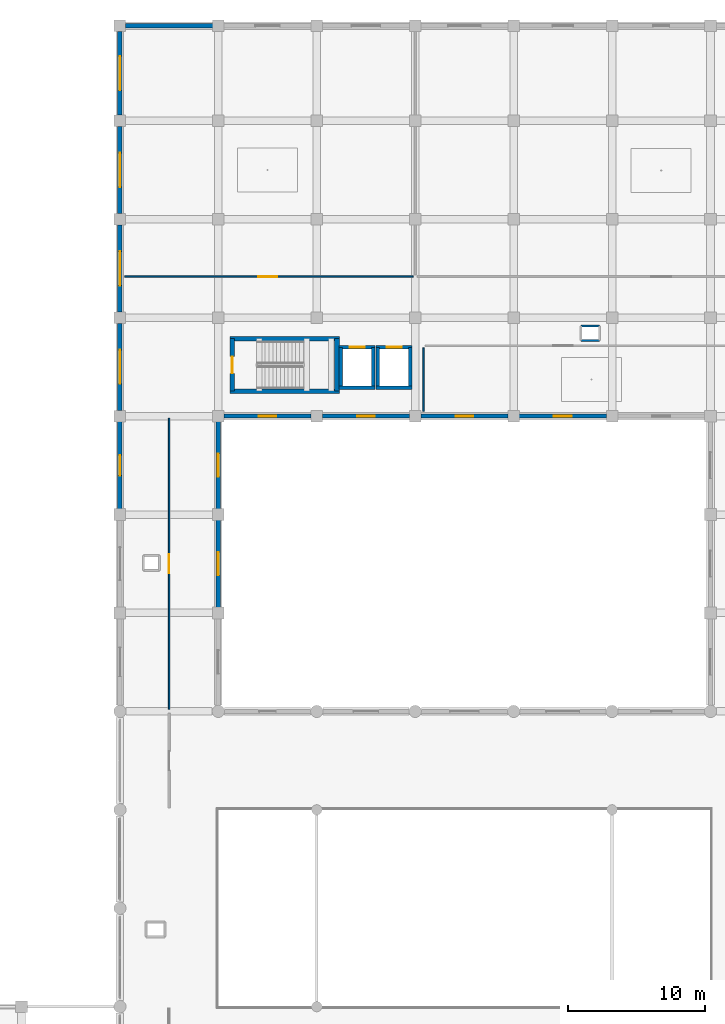
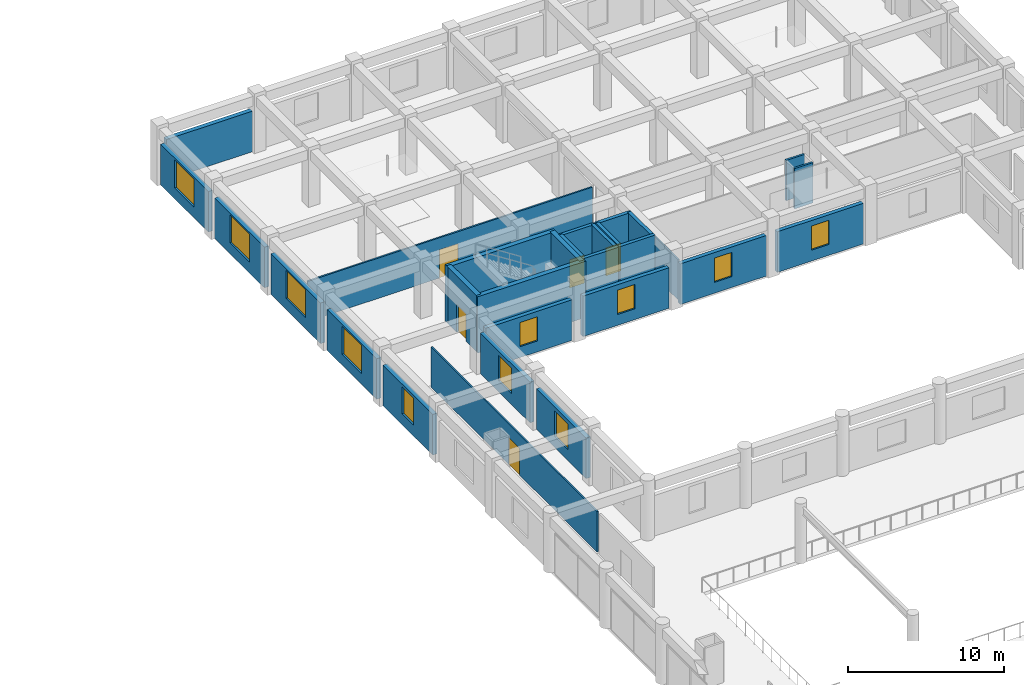
# One storey, part 36 of 54: 29 walls, 11 windows, 5 doors, 16 openings.
"""IFC4 building model written with IfcOpenShell, lengths in metres."""

from ifc_helpers import new_model, si_unit, direction, frame, frame_2d, origin, place, context, subcontext, project, spatial, rectangle, extrude, material, layer, layer_set, type_object, element, fill, save


model = new_model("IFC4")

# Units and contexts
model_context = context("Model", 3, precision=1e-05, world=origin(), true_north=direction((0.0, 1.0)))
body_context = subcontext(model_context, "Body", "Model", "MODEL_VIEW")
ifc_project = project(units=[si_unit("LENGTHUNIT", "METRE"), si_unit("AREAUNIT", "SQUARE_METRE"), si_unit("VOLUMEUNIT", "CUBIC_METRE"), si_unit("PLANEANGLEUNIT", "RADIAN"), si_unit("MASSUNIT", "GRAM", prefix="KILO")], contexts=[model_context])

# Site, building, storey
site_placement = place(None, origin())
site = spatial("IfcSite", under=ifc_project, at=site_placement, CompositionType="ELEMENT")
building_placement = place(site_placement, origin())
building = spatial("IfcBuilding", under=site, at=building_placement, Name="Kazehaya Institute of Natural Sciences", CompositionType="ELEMENT")
storey_placement = place(building_placement, frame((0.0, 0.0, 10.43994140625)))
storey = spatial("IfcBuildingStorey", under=building, at=storey_placement, Name="L02", CompositionType="ELEMENT", Elevation=10.43994140625)

# Walls
ifc_material_1 = material(Name="Concrete Fc42", Category="concrete")
ifc_layer_1 = layer(ifc_material_1, 0.35009765625, Name="Concrete Fc42", Category="concrete")
ifc_layer_set_1 = layer_set([ifc_layer_1], Name="Concrete Fc42")
wall_type_1 = type_object("IfcWallType", Name="WL-CORE-350", PredefinedType="SHEAR", material=ifc_layer_set_1)
for number, where, z_axis, x_axis, name in (
    (1, (77.85498046875, 87.820068359375, 0.0), (0.0, 0.0, 1.0), (-1.0, 0.0, 0.0), "L02 ST-3 core wall S"),
    (2, (69.844970703125, 91.659912109375, 0.0), (0.0, 0.0, 1.0), (1.0, 0.0, 0.0), "L02 ST-3 core wall N"),
):
    element("IfcWall", number, at=place(storey_placement, frame(where, z_axis=z_axis, x_axis=x_axis)), inside=storey, type_object=wall_type_1, Name=name, PredefinedType="SHEAR", context=body_context, shape_type="SweptSolid", body=[
        extrude(rectangle(XDim=8.010009765625, YDim=0.35009765625, at=frame_2d((4.0048828125, 0.0))), origin(), (0.0, 0.0, 1.0), 4.41015625),
    ])

# Wall, opening, door
wall_1_placement = place(storey_placement, frame((70.02001953125, 87.820068359375, 0.0), z_axis=(0.0, 0.0, 1.0), x_axis=(0.0, 1.0, 0.0)))
wall_1 = element("IfcWall", 3, at=wall_1_placement, inside=storey, type_object=wall_type_1, Name="L02 ST-3 core wall W", PredefinedType="SHEAR", context=body_context, shape_type="SweptSolid", body=[
    extrude(rectangle(XDim=3.83984375, YDim=0.35009765625, at=frame_2d((1.919921875, 0.0))), origin(), (0.0, 0.0, 1.0), 4.41015625),
])
opening_1_placement = place(wall_1_placement, frame((1.31005859375, 0.0, 0.0)))
opening_1 = element("IfcOpeningElement", 4, at=opening_1_placement, cuts=wall_1, Name="Opening D-ST-026", PredefinedType="OPENING", context=body_context, shape_type="SweptSolid", body=[
    extrude(rectangle(XDim=1.219970703125, YDim=2.179931640625, at=frame_2d((0.60986328125, 1.08984375))), frame((0.0, 0.18505859375, 0.0), z_axis=(0.0, -1.0, 0.0), x_axis=(1.0, 0.0, 0.0)), (0.0, 0.0, 1.0), 0.3701171875),
])
ifc_material_2 = material(Name="Fire-rated steel acoustic door", Category="steel")
door_type_1 = type_object("IfcDoorType", Name="DT-FD-27", OperationType="NOTDEFINED", PredefinedType="DOOR", material=ifc_material_2)
door_1_placement = place(opening_1_placement, origin())
door_1 = element("IfcDoor", 5, at=door_1_placement, inside=storey, type_object=door_type_1, Name="L02 ST-3 stair enclosure door D-ST-026", OperationType="SINGLE_SWING_RIGHT", OverallHeight=2.179931640625, OverallWidth=1.219970703125, PredefinedType="DOOR", context=body_context, shape_type="SweptSolid", body=[
    extrude(rectangle(XDim=1.219970703125, YDim=2.179931640625, at=frame_2d((0.60986328125, 1.08984375))), frame((0.0, 0.02490234375, 0.0), z_axis=(0.0, -1.0, 0.0), x_axis=(1.0, 0.0, 0.0)), (0.0, 0.0, 1.0), 0.050048828125),
])
fill(opening_1, door_1)

# Wall
wall_2_placement = place(storey_placement, frame((77.679931640625, 91.659912109375, 0.0), z_axis=(0.0, 0.0, 1.0), x_axis=(0.0, -1.0, 0.0)))
element("IfcWall", 6, at=wall_2_placement, inside=storey, type_object=wall_type_1, Name="L02 ST-3 core wall E", PredefinedType="SHEAR", context=body_context, shape_type="SweptSolid", body=[
    extrude(rectangle(XDim=3.83984375, YDim=0.35009765625, at=frame_2d((1.919921875, 0.0))), origin(), (0.0, 0.0, 1.0), 4.41015625),
])

# Wall, opening, window
ifc_material_3 = material(Name="Precast concrete Fc36", Category="concrete")
ifc_layer_2 = layer(ifc_material_3, 0.2900390625, Name="Precast concrete Fc36", Category="concrete")
ifc_layer_set_2 = layer_set([ifc_layer_2], Name="Precast concrete Fc36")
wall_type_2 = type_object("IfcWallType", Name="WL-EXT-290", PredefinedType="SOLIDWALL", material=ifc_layer_set_2)
wall_3_placement = place(storey_placement, frame((97.389892578125, 86.0, 0.0), z_axis=(0.0, 0.0, 1.0), x_axis=(-1.0, 0.0, 0.0)))
wall_3 = element("IfcWall", 7, at=wall_3_placement, inside=storey, type_object=wall_type_2, Name="L02 exterior wall EW-L02-0228", PredefinedType="SOLIDWALL", context=body_context, shape_type="SweptSolid", body=[
    extrude(rectangle(XDim=6.3798828125, YDim=0.2900390625, at=frame_2d((3.18994140625, 0.0))), origin(), (0.0, 0.0, 1.0), 3.18017578125),
])
opening_2_placement = place(wall_3_placement, frame((2.5400390625, 0.0, 0.85009765625)))
opening_2 = element("IfcOpeningElement", 8, at=opening_2_placement, cuts=wall_3, Name="Opening W26", PredefinedType="OPENING", context=body_context, shape_type="SweptSolid", body=[
    extrude(rectangle(XDim=1.300048828125, YDim=1.89990234375, at=frame_2d((0.64990234375, 0.949951171875))), frame((0.0, 0.155029296875, 0.0), z_axis=(0.0, -1.0, 0.0), x_axis=(1.0, 0.0, 0.0)), (0.0, 0.0, 1.0), 0.31005859375),
])
ifc_material_4 = material(Name="Low-E double-glazed aluminium window", Category="aluminium")
window_type_1 = type_object("IfcWindowType", Name="WN-26", PartitioningType="SINGLE_PANEL", PredefinedType="WINDOW", material=ifc_material_4)
window_1_placement = place(opening_2_placement, origin())
window_1 = element("IfcWindow", 9, at=window_1_placement, inside=storey, type_object=window_type_1, Name="L02 facade window 0129", OverallHeight=1.89990234375, OverallWidth=1.300048828125, PartitioningType="SINGLE_PANEL", PredefinedType="WINDOW", context=body_context, shape_type="SweptSolid", body=[
    extrude(rectangle(XDim=1.300048828125, YDim=1.89990234375, at=frame_2d((0.64990234375, 0.949951171875))), frame((0.0, 0.030029296875, 0.0), z_axis=(0.0, -1.0, 0.0), x_axis=(1.0, 0.0, 0.0)), (0.0, 0.0, 1.0), 0.06005859375),
])
fill(opening_2, window_1)

wall_4_placement = place(storey_placement, frame((90.18994140625, 86.0, 0.0), z_axis=(0.0, 0.0, 1.0), x_axis=(-1.0, 0.0, 0.0)))
wall_4 = element("IfcWall", 10, at=wall_4_placement, inside=storey, type_object=wall_type_2, Name="L02 exterior wall EW-L02-0229", PredefinedType="SOLIDWALL", context=body_context, shape_type="SweptSolid", body=[
    extrude(rectangle(XDim=6.3798828125, YDim=0.2900390625, at=frame_2d((3.18994140625, 0.0))), origin(), (0.0, 0.0, 1.0), 3.18017578125),
])
opening_3_placement = place(wall_4_placement, frame((2.5400390625, 0.0, 0.85009765625)))
opening_3 = element("IfcOpeningElement", 11, at=opening_3_placement, cuts=wall_4, Name="Opening W26", PredefinedType="OPENING", context=body_context, shape_type="SweptSolid", body=[
    extrude(rectangle(XDim=1.300048828125, YDim=1.89990234375, at=frame_2d((0.64990234375, 0.949951171875))), frame((0.0, 0.155029296875, 0.0), z_axis=(0.0, -1.0, 0.0), x_axis=(1.0, 0.0, 0.0)), (0.0, 0.0, 1.0), 0.31005859375),
])
window_2_placement = place(opening_3_placement, origin())
window_2 = element("IfcWindow", 12, at=window_2_placement, inside=storey, type_object=window_type_1, Name="L02 facade window 0130", OverallHeight=1.89990234375, OverallWidth=1.300048828125, PartitioningType="SINGLE_PANEL", PredefinedType="WINDOW", context=body_context, shape_type="SweptSolid", body=[
    extrude(rectangle(XDim=1.300048828125, YDim=1.89990234375, at=frame_2d((0.64990234375, 0.949951171875))), frame((0.0, 0.030029296875, 0.0), z_axis=(0.0, -1.0, 0.0), x_axis=(1.0, 0.0, 0.0)), (0.0, 0.0, 1.0), 0.06005859375),
])
fill(opening_3, window_2)

wall_5_placement = place(storey_placement, frame((82.989990234375, 86.0, 0.0), z_axis=(0.0, 0.0, 1.0), x_axis=(-1.0, 0.0, 0.0)))
wall_5 = element("IfcWall", 13, at=wall_5_placement, inside=storey, type_object=wall_type_2, Name="L02 exterior wall EW-L02-0230", PredefinedType="SOLIDWALL", context=body_context, shape_type="SweptSolid", body=[
    extrude(rectangle(XDim=6.3798828125, YDim=0.2900390625, at=frame_2d((3.18994140625, 0.0))), origin(), (0.0, 0.0, 1.0), 3.18017578125),
])
opening_4_placement = place(wall_5_placement, frame((2.5400390625, 0.0, 0.85009765625)))
opening_4 = element("IfcOpeningElement", 14, at=opening_4_placement, cuts=wall_5, Name="Opening W26", PredefinedType="OPENING", context=body_context, shape_type="SweptSolid", body=[
    extrude(rectangle(XDim=1.300048828125, YDim=1.89990234375, at=frame_2d((0.64990234375, 0.949951171875))), frame((0.0, 0.155029296875, 0.0), z_axis=(0.0, -1.0, 0.0), x_axis=(1.0, 0.0, 0.0)), (0.0, 0.0, 1.0), 0.31005859375),
])
window_3_placement = place(opening_4_placement, origin())
window_3 = element("IfcWindow", 15, at=window_3_placement, inside=storey, type_object=window_type_1, Name="L02 facade window 0131", OverallHeight=1.89990234375, OverallWidth=1.300048828125, PartitioningType="SINGLE_PANEL", PredefinedType="WINDOW", context=body_context, shape_type="SweptSolid", body=[
    extrude(rectangle(XDim=1.300048828125, YDim=1.89990234375, at=frame_2d((0.64990234375, 0.949951171875))), frame((0.0, 0.030029296875, 0.0), z_axis=(0.0, -1.0, 0.0), x_axis=(1.0, 0.0, 0.0)), (0.0, 0.0, 1.0), 0.06005859375),
])
fill(opening_4, window_3)

wall_6_placement = place(storey_placement, frame((75.7900390625, 86.0, 0.0), z_axis=(0.0, 0.0, 1.0), x_axis=(-1.0, 0.0, 0.0)))
wall_6 = element("IfcWall", 16, at=wall_6_placement, inside=storey, type_object=wall_type_2, Name="L02 exterior wall EW-L02-0231", PredefinedType="SOLIDWALL", context=body_context, shape_type="SweptSolid", body=[
    extrude(rectangle(XDim=6.380126953125, YDim=0.2900390625, at=frame_2d((3.18994140625, 0.0))), origin(), (0.0, 0.0, 1.0), 3.18017578125),
])
opening_5_placement = place(wall_6_placement, frame((2.5400390625, 0.0, 0.85009765625)))
opening_5 = element("IfcOpeningElement", 17, at=opening_5_placement, cuts=wall_6, Name="Opening W26", PredefinedType="OPENING", context=body_context, shape_type="SweptSolid", body=[
    extrude(rectangle(XDim=1.300048828125, YDim=1.89990234375, at=frame_2d((0.64990234375, 0.949951171875))), frame((0.0, 0.155029296875, 0.0), z_axis=(0.0, -1.0, 0.0), x_axis=(1.0, 0.0, 0.0)), (0.0, 0.0, 1.0), 0.31005859375),
])
window_4_placement = place(opening_5_placement, origin())
window_4 = element("IfcWindow", 18, at=window_4_placement, inside=storey, type_object=window_type_1, Name="L02 facade window 0132", OverallHeight=1.89990234375, OverallWidth=1.300048828125, PartitioningType="SINGLE_PANEL", PredefinedType="WINDOW", context=body_context, shape_type="SweptSolid", body=[
    extrude(rectangle(XDim=1.300048828125, YDim=1.89990234375, at=frame_2d((0.64990234375, 0.949951171875))), frame((0.0, 0.030029296875, 0.0), z_axis=(0.0, -1.0, 0.0), x_axis=(1.0, 0.0, 0.0)), (0.0, 0.0, 1.0), 0.06005859375),
])
fill(opening_5, window_4)

ifc_layer_3 = layer(ifc_material_3, 0.31005859375, Name="Precast concrete Fc36", Category="concrete")
ifc_layer_set_3 = layer_set([ifc_layer_3], Name="Precast concrete Fc36")
wall_type_3 = type_object("IfcWallType", Name="WL-EXT-310", PredefinedType="SOLIDWALL", material=ifc_layer_set_3)
wall_7_placement = place(storey_placement, frame((69.0, 78.389892578125, 0.0), z_axis=(0.0, 0.0, 1.0), x_axis=(0.0, -1.0, 0.0)))
wall_7 = element("IfcWall", 19, at=wall_7_placement, inside=storey, type_object=wall_type_3, Name="L02 exterior wall EW-L02-0206", PredefinedType="SOLIDWALL", context=body_context, shape_type="SweptSolid", body=[
    extrude(rectangle(XDim=6.3798828125, YDim=0.31005859375, at=frame_2d((3.18994140625, 0.0))), origin(), (0.0, 0.0, 1.0), 3.18017578125),
])
opening_6_placement = place(wall_7_placement, frame((2.340087890625, 0.0, 0.85009765625)))
opening_6 = element("IfcOpeningElement", 20, at=opening_6_placement, cuts=wall_7, Name="Opening W22", PredefinedType="OPENING", context=body_context, shape_type="SweptSolid", body=[
    extrude(rectangle(XDim=1.699951171875, YDim=2.0, at=frame_2d((0.85009765625, 1.0))), frame((0.0, 0.1650390625, 0.0), z_axis=(0.0, -1.0, 0.0), x_axis=(1.0, 0.0, 0.0)), (0.0, 0.0, 1.0), 0.330078125),
])
window_type_2 = type_object("IfcWindowType", Name="WN-22", PartitioningType="SINGLE_PANEL", PredefinedType="WINDOW", material=ifc_material_4)
window_5_placement = place(opening_6_placement, origin())
window_5 = element("IfcWindow", 21, at=window_5_placement, inside=storey, type_object=window_type_2, Name="L02 facade window 0108", OverallHeight=2.0, OverallWidth=1.699951171875, PartitioningType="SINGLE_PANEL", PredefinedType="WINDOW", context=body_context, shape_type="SweptSolid", body=[
    extrude(rectangle(XDim=1.699951171875, YDim=2.0, at=frame_2d((0.85009765625, 1.0))), frame((0.0, 0.030029296875, 0.0), z_axis=(0.0, -1.0, 0.0), x_axis=(1.0, 0.0, 0.0)), (0.0, 0.0, 1.0), 0.06005859375),
])
fill(opening_6, window_5)

wall_8_placement = place(storey_placement, frame((69.0, 85.590087890625, 0.0), z_axis=(0.0, 0.0, 1.0), x_axis=(0.0, -1.0, 0.0)))
wall_8 = element("IfcWall", 22, at=wall_8_placement, inside=storey, type_object=wall_type_3, Name="L02 exterior wall EW-L02-0210", PredefinedType="SOLIDWALL", context=body_context, shape_type="SweptSolid", body=[
    extrude(rectangle(XDim=6.380126953125, YDim=0.31005859375, at=frame_2d((3.18994140625, 0.0))), origin(), (0.0, 0.0, 1.0), 3.18017578125),
])
opening_7_placement = place(wall_8_placement, frame((2.340087890625, 0.0, 0.85009765625)))
opening_7 = element("IfcOpeningElement", 23, at=opening_7_placement, cuts=wall_8, Name="Opening W22", PredefinedType="OPENING", context=body_context, shape_type="SweptSolid", body=[
    extrude(rectangle(XDim=1.699951171875, YDim=2.0, at=frame_2d((0.85009765625, 1.0))), frame((0.0, 0.1650390625, 0.0), z_axis=(0.0, -1.0, 0.0), x_axis=(1.0, 0.0, 0.0)), (0.0, 0.0, 1.0), 0.330078125),
])
window_6_placement = place(opening_7_placement, origin())
window_6 = element("IfcWindow", 24, at=window_6_placement, inside=storey, type_object=window_type_2, Name="L02 facade window 0112", OverallHeight=2.0, OverallWidth=1.699951171875, PartitioningType="SINGLE_PANEL", PredefinedType="WINDOW", context=body_context, shape_type="SweptSolid", body=[
    extrude(rectangle(XDim=1.699951171875, YDim=2.0, at=frame_2d((0.85009765625, 1.0))), frame((0.0, 0.030029296875, 0.0), z_axis=(0.0, -1.0, 0.0), x_axis=(1.0, 0.0, 0.0)), (0.0, 0.0, 1.0), 0.06005859375),
])
fill(opening_7, window_6)

ifc_layer_4 = layer(ifc_material_3, 0.320068359375, Name="Precast concrete Fc36", Category="concrete")
ifc_layer_set_4 = layer_set([ifc_layer_4], Name="Precast concrete Fc36")
wall_type_4 = type_object("IfcWallType", Name="WL-EXT-320", PredefinedType="SOLIDWALL", material=ifc_layer_set_4)
wall_9_placement = place(storey_placement, frame((61.800048828125, 79.2099609375, 0.0), z_axis=(0.0, 0.0, 1.0), x_axis=(0.0, 1.0, 0.0)))
wall_9 = element("IfcWall", 25, at=wall_9_placement, inside=storey, type_object=wall_type_4, Name="L02 exterior wall EW-L02-0208", PredefinedType="SOLIDWALL", context=body_context, shape_type="SweptSolid", body=[
    extrude(rectangle(XDim=6.380126953125, YDim=0.320068359375, at=frame_2d((3.18994140625, 0.0))), origin(), (0.0, 0.0, 1.0), 3.18017578125),
])
opening_8_placement = place(wall_9_placement, frame((2.43994140625, 0.0, 0.85009765625)))
opening_8 = element("IfcOpeningElement", 26, at=opening_8_placement, cuts=wall_9, Name="Opening W09", PredefinedType="OPENING", context=body_context, shape_type="SweptSolid", body=[
    extrude(rectangle(XDim=1.5, YDim=2.10009765625, at=frame_2d((0.75, 1.050048828125))), frame((0.0, 0.169921875, 0.0), z_axis=(0.0, -1.0, 0.0), x_axis=(1.0, 0.0, 0.0)), (0.0, 0.0, 1.0), 0.340087890625),
])
window_type_3 = type_object("IfcWindowType", Name="WN-09", PartitioningType="SINGLE_PANEL", PredefinedType="WINDOW", material=ifc_material_4)
window_7_placement = place(opening_8_placement, origin())
window_7 = element("IfcWindow", 27, at=window_7_placement, inside=storey, type_object=window_type_3, Name="L02 facade window 0110", OverallHeight=2.10009765625, OverallWidth=1.5, PartitioningType="SINGLE_PANEL", PredefinedType="WINDOW", context=body_context, shape_type="SweptSolid", body=[
    extrude(rectangle(XDim=1.5, YDim=2.10009765625, at=frame_2d((0.75, 1.050048828125))), frame((0.0, 0.030029296875, 0.0), z_axis=(0.0, -1.0, 0.0), x_axis=(1.0, 0.0, 0.0)), (0.0, 0.0, 1.0), 0.06005859375),
])
fill(opening_8, window_7)

wall_10_placement = place(storey_placement, frame((61.800048828125, 86.409912109375, 0.0), z_axis=(0.0, 0.0, 1.0), x_axis=(0.0, 1.0, 0.0)))
wall_10 = element("IfcWall", 28, at=wall_10_placement, inside=storey, type_object=wall_type_4, Name="L02 exterior wall EW-L02-0212", PredefinedType="SOLIDWALL", context=body_context, shape_type="SweptSolid", body=[
    extrude(rectangle(XDim=6.380126953125, YDim=0.320068359375, at=frame_2d((3.18994140625, 0.0))), origin(), (0.0, 0.0, 1.0), 3.18017578125),
])
opening_9_placement = place(wall_10_placement, frame((1.93994140625, 0.0, 0.85009765625)))
opening_9 = element("IfcOpeningElement", 29, at=opening_9_placement, cuts=wall_10, Name="Opening W24", PredefinedType="OPENING", context=body_context, shape_type="SweptSolid", body=[
    extrude(rectangle(XDim=2.5, YDim=2.199951171875, at=frame_2d((1.25, 1.10009765625))), frame((0.0, 0.169921875, 0.0), z_axis=(0.0, -1.0, 0.0), x_axis=(1.0, 0.0, 0.0)), (0.0, 0.0, 1.0), 0.340087890625),
])
window_type_4 = type_object("IfcWindowType", Name="WN-24", PartitioningType="DOUBLE_PANEL_VERTICAL", PredefinedType="WINDOW", material=ifc_material_4)
window_8_placement = place(opening_9_placement, origin())
window_8 = element("IfcWindow", 30, at=window_8_placement, inside=storey, type_object=window_type_4, Name="L02 facade window 0114", OverallHeight=2.199951171875, OverallWidth=2.5, PartitioningType="DOUBLE_PANEL_VERTICAL", PredefinedType="WINDOW", context=body_context, shape_type="SweptSolid", body=[
    extrude(rectangle(XDim=2.5, YDim=2.199951171875, at=frame_2d((1.25, 1.10009765625))), frame((0.0, 0.030029296875, 0.0), z_axis=(0.0, -1.0, 0.0), x_axis=(1.0, 0.0, 0.0)), (0.0, 0.0, 1.0), 0.06005859375),
])
fill(opening_9, window_8)

wall_11_placement = place(storey_placement, frame((61.800048828125, 93.610107421875, 0.0), z_axis=(0.0, 0.0, 1.0), x_axis=(0.0, 1.0, 0.0)))
wall_11 = element("IfcWall", 31, at=wall_11_placement, inside=storey, type_object=wall_type_4, Name="L02 exterior wall EW-L02-0214", PredefinedType="SOLIDWALL", context=body_context, shape_type="SweptSolid", body=[
    extrude(rectangle(XDim=6.3798828125, YDim=0.320068359375, at=frame_2d((3.18994140625, 0.0))), origin(), (0.0, 0.0, 1.0), 3.18017578125),
])
opening_10_placement = place(wall_11_placement, frame((1.93994140625, 0.0, 0.85009765625)))
opening_10 = element("IfcOpeningElement", 32, at=opening_10_placement, cuts=wall_11, Name="Opening W24", PredefinedType="OPENING", context=body_context, shape_type="SweptSolid", body=[
    extrude(rectangle(XDim=2.5, YDim=2.199951171875, at=frame_2d((1.25, 1.10009765625))), frame((0.0, 0.169921875, 0.0), z_axis=(0.0, -1.0, 0.0), x_axis=(1.0, 0.0, 0.0)), (0.0, 0.0, 1.0), 0.340087890625),
])
window_9_placement = place(opening_10_placement, origin())
window_9 = element("IfcWindow", 33, at=window_9_placement, inside=storey, type_object=window_type_4, Name="L02 facade window 0116", OverallHeight=2.199951171875, OverallWidth=2.5, PartitioningType="DOUBLE_PANEL_VERTICAL", PredefinedType="WINDOW", context=body_context, shape_type="SweptSolid", body=[
    extrude(rectangle(XDim=2.5, YDim=2.199951171875, at=frame_2d((1.25, 1.10009765625))), frame((0.0, 0.030029296875, 0.0), z_axis=(0.0, -1.0, 0.0), x_axis=(1.0, 0.0, 0.0)), (0.0, 0.0, 1.0), 0.06005859375),
])
fill(opening_10, window_9)

wall_12_placement = place(storey_placement, frame((61.800048828125, 100.81005859375, 0.0), z_axis=(0.0, 0.0, 1.0), x_axis=(0.0, 1.0, 0.0)))
wall_12 = element("IfcWall", 34, at=wall_12_placement, inside=storey, type_object=wall_type_4, Name="L02 exterior wall EW-L02-0216", PredefinedType="SOLIDWALL", context=body_context, shape_type="SweptSolid", body=[
    extrude(rectangle(XDim=6.3798828125, YDim=0.320068359375, at=frame_2d((3.18994140625, 0.0))), origin(), (0.0, 0.0, 1.0), 3.18017578125),
])
opening_11_placement = place(wall_12_placement, frame((1.93994140625, 0.0, 0.85009765625)))
opening_11 = element("IfcOpeningElement", 35, at=opening_11_placement, cuts=wall_12, Name="Opening W24", PredefinedType="OPENING", context=body_context, shape_type="SweptSolid", body=[
    extrude(rectangle(XDim=2.5, YDim=2.199951171875, at=frame_2d((1.25, 1.10009765625))), frame((0.0, 0.169921875, 0.0), z_axis=(0.0, -1.0, 0.0), x_axis=(1.0, 0.0, 0.0)), (0.0, 0.0, 1.0), 0.340087890625),
])
window_10_placement = place(opening_11_placement, origin())
window_10 = element("IfcWindow", 36, at=window_10_placement, inside=storey, type_object=window_type_4, Name="L02 facade window 0118", OverallHeight=2.199951171875, OverallWidth=2.5, PartitioningType="DOUBLE_PANEL_VERTICAL", PredefinedType="WINDOW", context=body_context, shape_type="SweptSolid", body=[
    extrude(rectangle(XDim=2.5, YDim=2.199951171875, at=frame_2d((1.25, 1.10009765625))), frame((0.0, 0.030029296875, 0.0), z_axis=(0.0, -1.0, 0.0), x_axis=(1.0, 0.0, 0.0)), (0.0, 0.0, 1.0), 0.06005859375),
])
fill(opening_11, window_10)

wall_13_placement = place(storey_placement, frame((61.800048828125, 108.010009765625, 0.0), z_axis=(0.0, 0.0, 1.0), x_axis=(0.0, 1.0, 0.0)))
wall_13 = element("IfcWall", 37, at=wall_13_placement, inside=storey, type_object=wall_type_4, Name="L02 exterior wall EW-L02-0218", PredefinedType="SOLIDWALL", context=body_context, shape_type="SweptSolid", body=[
    extrude(rectangle(XDim=6.1298828125, YDim=0.320068359375, at=frame_2d((3.06494140625, 0.0))), origin(), (0.0, 0.0, 1.0), 3.18017578125),
])
opening_12_placement = place(wall_13_placement, frame((1.81494140625, 0.0, 0.85009765625)))
opening_12 = element("IfcOpeningElement", 38, at=opening_12_placement, cuts=wall_13, Name="Opening W24", PredefinedType="OPENING", context=body_context, shape_type="SweptSolid", body=[
    extrude(rectangle(XDim=2.5, YDim=2.199951171875, at=frame_2d((1.25, 1.10009765625))), frame((0.0, 0.169921875, 0.0), z_axis=(0.0, -1.0, 0.0), x_axis=(1.0, 0.0, 0.0)), (0.0, 0.0, 1.0), 0.340087890625),
])
window_11_placement = place(opening_12_placement, origin())
window_11 = element("IfcWindow", 39, at=window_11_placement, inside=storey, type_object=window_type_4, Name="L02 facade window 0120", OverallHeight=2.199951171875, OverallWidth=2.5, PartitioningType="DOUBLE_PANEL_VERTICAL", PredefinedType="WINDOW", context=body_context, shape_type="SweptSolid", body=[
    extrude(rectangle(XDim=2.5, YDim=2.199951171875, at=frame_2d((1.25, 1.10009765625))), frame((0.0, 0.030029296875, 0.0), z_axis=(0.0, -1.0, 0.0), x_axis=(1.0, 0.0, 0.0)), (0.0, 0.0, 1.0), 0.06005859375),
])
fill(opening_12, window_11)

# Walls
wall_14_placement = place(storey_placement, frame((62.2099609375, 114.550048828125, 0.0), z_axis=(0.0, 0.0, 1.0), x_axis=(1.0, 0.0, 0.0)))
element("IfcWall", 40, at=wall_14_placement, inside=storey, type_object=wall_type_4, Name="L02 exterior wall EW-L02-0220", PredefinedType="SOLIDWALL", context=body_context, shape_type="SweptSolid", body=[
    extrude(rectangle(XDim=6.380126953125, YDim=0.320068359375, at=frame_2d((3.18994140625, 0.0))), origin(), (0.0, 0.0, 1.0), 3.18017578125),
])
ifc_material_5 = material(Name="Lightweight chase partition")
ifc_layer_5 = layer(ifc_material_5, 0.10009765625, Name="Lightweight chase partition")
ifc_layer_set_5 = layer_set([ifc_layer_5], Name="Lightweight chase partition")
wall_type_5 = type_object("IfcWallType", Name="WL-PART-100", PredefinedType="PARTITIONING", material=ifc_layer_set_5)
wall_15_placement = place(storey_placement, frame((84.0, 86.35009765625, 0.0), z_axis=(0.0, 0.0, 1.0), x_axis=(0.0, 1.0, 0.0)))
element("IfcWall", 41, at=wall_15_placement, inside=storey, type_object=wall_type_5, Name="L02 Researcher Write-up Office partition IW-L02-0171", PredefinedType="PARTITIONING", context=body_context, shape_type="SweptSolid", body=[
    extrude(rectangle(XDim=4.64990234375, YDim=0.10009765625, at=frame_2d((2.324951171875, 0.0))), origin(), (0.0, 0.0, 1.0), 3.16015625),
])

# Wall, opening, door
ifc_material_6 = material(Name="Glazed office demountable partition")
ifc_layer_6 = layer(ifc_material_6, 0.110107421875, Name="Glazed office demountable partition")
ifc_layer_set_6 = layer_set([ifc_layer_6], Name="Glazed office demountable partition")
wall_type_6 = type_object("IfcWallType", Name="WL-PART-110", PredefinedType="PARTITIONING", material=ifc_layer_set_6)
wall_16_placement = place(storey_placement, frame((65.39990234375, 64.550048828125, 0.0), z_axis=(0.0, 0.0, 1.0), x_axis=(0.0, 1.0, 0.0)))
wall_16 = element("IfcWall", 42, at=wall_16_placement, inside=storey, type_object=wall_type_6, Name="L02 Researcher Write-up Office partition IW-L02-0165", PredefinedType="PARTITIONING", context=body_context, shape_type="SweptSolid", body=[
    extrude(rectangle(XDim=21.300048828125, YDim=0.110107421875, at=frame_2d((10.64990234375, 0.0))), origin(), (0.0, 0.0, 1.0), 3.16015625),
])
opening_13_placement = place(wall_16_placement, frame((9.9599609375, 0.0, 0.0)))
opening_13 = element("IfcOpeningElement", 43, at=opening_13_placement, cuts=wall_16, Name="Opening D-L02-0114", PredefinedType="OPENING", context=body_context, shape_type="SweptSolid", body=[
    extrude(rectangle(XDim=1.3798828125, YDim=2.10009765625, at=frame_2d((0.68994140625, 1.050048828125))), frame((0.0, 0.06494140625, 0.0), z_axis=(0.0, -1.0, 0.0), x_axis=(1.0, 0.0, 0.0)), (0.0, 0.0, 1.0), 0.130126953125),
])
ifc_material_7 = material(Name="Flush timber and aluminium laboratory door", Category="wood")
door_type_2 = type_object("IfcDoorType", Name="DT-INT-50", OperationType="DOUBLE_DOOR_SINGLE_SWING", PredefinedType="DOOR", material=ifc_material_7)
door_2_placement = place(opening_13_placement, origin())
door_2 = element("IfcDoor", 44, at=door_2_placement, inside=storey, type_object=door_type_2, Name="L02 Researcher Write-up Office door D-L02-0114", OperationType="DOUBLE_DOOR_SINGLE_SWING", OverallHeight=2.10009765625, OverallWidth=1.3798828125, PredefinedType="DOOR", context=body_context, shape_type="SweptSolid", body=[
    extrude(rectangle(XDim=1.3798828125, YDim=2.10009765625, at=frame_2d((0.68994140625, 1.050048828125))), frame((0.0, 0.02490234375, 0.0), z_axis=(0.0, -1.0, 0.0), x_axis=(1.0, 0.0, 0.0)), (0.0, 0.0, 1.0), 0.050048828125),
])
fill(opening_13, door_2)

ifc_material_8 = material(Name="Gypsum write-up office partition", Category="gypsum")
ifc_layer_7 = layer(ifc_material_8, 0.1201171875, Name="Gypsum write-up office partition", Category="gypsum")
ifc_layer_set_7 = layer_set([ifc_layer_7], Name="Gypsum write-up office partition")
wall_type_7 = type_object("IfcWallType", Name="WL-PART-120", PredefinedType="PARTITIONING", material=ifc_layer_set_7)
wall_17_placement = place(storey_placement, frame((83.25, 96.199951171875, 0.0), z_axis=(0.0, 0.0, 1.0), x_axis=(-1.0, 0.0, 0.0)))
wall_17 = element("IfcWall", 45, at=wall_17_placement, inside=storey, type_object=wall_type_7, Name="L02 Dry Computational Laboratory partition IW-L02-0167", PredefinedType="PARTITIONING", context=body_context, shape_type="SweptSolid", body=[
    extrude(rectangle(XDim=21.10009765625, YDim=0.1201171875, at=frame_2d((10.550048828125, 0.0))), origin(), (0.0, 0.0, 1.0), 3.16015625),
])
opening_14_placement = place(wall_17_placement, frame((9.9599609375, 0.0, 0.0)))
opening_14 = element("IfcOpeningElement", 46, at=opening_14_placement, cuts=wall_17, Name="Opening D-L02-0116", PredefinedType="OPENING", context=body_context, shape_type="SweptSolid", body=[
    extrude(rectangle(XDim=1.3798828125, YDim=2.219970703125, at=frame_2d((0.68994140625, 1.10986328125))), frame((0.0, 0.070068359375, 0.0), z_axis=(0.0, -1.0, 0.0), x_axis=(1.0, 0.0, 0.0)), (0.0, 0.0, 1.0), 0.14013671875),
])
door_type_3 = type_object("IfcDoorType", Name="DT-INT-52", OperationType="DOUBLE_DOOR_SINGLE_SWING", PredefinedType="DOOR", material=ifc_material_7)
door_3_placement = place(opening_14_placement, origin())
door_3 = element("IfcDoor", 47, at=door_3_placement, inside=storey, type_object=door_type_3, Name="L02 Dry Computational Laboratory door D-L02-0116", OperationType="DOUBLE_DOOR_SINGLE_SWING", OverallHeight=2.219970703125, OverallWidth=1.3798828125, PredefinedType="DOOR", context=body_context, shape_type="SweptSolid", body=[
    extrude(rectangle(XDim=1.3798828125, YDim=2.219970703125, at=frame_2d((0.68994140625, 1.10986328125))), frame((0.0, 0.02490234375, 0.0), z_axis=(0.0, -1.0, 0.0), x_axis=(1.0, 0.0, 0.0)), (0.0, 0.0, 1.0), 0.050048828125),
])
fill(opening_14, door_3)

# Walls
ifc_material_9 = material(Name="Concrete Fc36", Category="concrete")
ifc_layer_8 = layer(ifc_material_9, 0.14990234375, Name="Concrete Fc36", Category="concrete")
ifc_layer_set_8 = layer_set([ifc_layer_8], Name="Concrete Fc36")
wall_type_8 = type_object("IfcWallType", Name="WL-RISER-150", PredefinedType="PARTITIONING", material=ifc_layer_set_8)
for number, where, z_axis, x_axis, name in (
    (48, (96.885009765625, 91.514892578125, 0.0), (0.0, 0.0, 1.0), (-1.0, 0.0, 0.0), "L02 fume exhaust riser shaft wall 29"),
    (49, (95.514892578125, 92.5849609375, 0.0), (0.0, 0.0, 1.0), (1.0, 0.0, 0.0), "L02 fume exhaust riser shaft wall 29"),
):
    element("IfcWall", number, at=place(storey_placement, frame(where, z_axis=z_axis, x_axis=x_axis)), inside=storey, type_object=wall_type_8, Name=name, PredefinedType="PARTITIONING", context=body_context, shape_type="SweptSolid", body=[
        extrude(rectangle(XDim=1.3701171875, YDim=0.14990234375, at=frame_2d((0.68505859375, 0.0))), origin(), (0.0, 0.0, 1.0), 3.16015625),
    ])
ifc_layer_9 = layer(ifc_material_1, 0.25, Name="Concrete Fc42", Category="concrete")
ifc_layer_set_9 = layer_set([ifc_layer_9], Name="Concrete Fc42")
wall_type_9 = type_object("IfcWallType", Name="WL-SHAFT-250", PredefinedType="SHEAR", material=ifc_layer_set_9)
wall_18_placement = place(storey_placement, frame((80.4599609375, 88.06494140625, 0.0), z_axis=(0.0, 0.0, 1.0), x_axis=(-1.0, 0.0, 0.0)))
element("IfcWall", 50, at=wall_18_placement, inside=storey, type_object=wall_type_9, Name="L02 EL04 lift shaft wall south", PredefinedType="SHEAR", context=body_context, shape_type="SweptSolid", body=[
    extrude(rectangle(XDim=2.619873046875, YDim=0.25, at=frame_2d((1.31005859375, 0.0))), origin(), (0.0, 0.0, 1.0), 4.41015625),
])

# Wall, opening, door
wall_19_placement = place(storey_placement, frame((77.840087890625, 91.034912109375, 0.0), z_axis=(0.0, 0.0, 1.0), x_axis=(1.0, 0.0, 0.0)))
wall_19 = element("IfcWall", 51, at=wall_19_placement, inside=storey, type_object=wall_type_9, Name="L02 EL04 lift shaft wall north", PredefinedType="SHEAR", context=body_context, shape_type="SweptSolid", body=[
    extrude(rectangle(XDim=2.619873046875, YDim=0.25, at=frame_2d((1.31005859375, 0.0))), origin(), (0.0, 0.0, 1.0), 4.41015625),
])
opening_15_placement = place(wall_19_placement, frame((0.760009765625, 0.0, 0.0)))
opening_15 = element("IfcOpeningElement", 52, at=opening_15_placement, cuts=wall_19, Name="Opening LD-59", PredefinedType="OPENING", context=body_context, shape_type="SweptSolid", body=[
    extrude(rectangle(XDim=1.10009765625, YDim=2.199951171875, at=frame_2d((0.550048828125, 1.10009765625))), frame((0.0, 0.135009765625, 0.0), z_axis=(0.0, -1.0, 0.0), x_axis=(1.0, 0.0, 0.0)), (0.0, 0.0, 1.0), 0.27001953125),
])
ifc_material_10 = material(Name="Stainless-steel sliding landing door", Category="steel")
door_type_4 = type_object("IfcDoorType", Name="DT-LD-1100x2200", OperationType="SLIDING_TO_LEFT", PredefinedType="DOOR", material=ifc_material_10)
door_4_placement = place(opening_15_placement, origin())
door_4 = element("IfcDoor", 53, at=door_4_placement, inside=storey, type_object=door_type_4, Name="L02 EL04 sliding landing door LD-59", OperationType="SLIDING_TO_LEFT", OverallHeight=2.199951171875, OverallWidth=1.10009765625, PredefinedType="DOOR", context=body_context, shape_type="SweptSolid", body=[
    extrude(rectangle(XDim=1.10009765625, YDim=2.199951171875, at=frame_2d((0.550048828125, 1.10009765625))), frame((0.0, 0.02490234375, 0.0), z_axis=(0.0, -1.0, 0.0), x_axis=(1.0, 0.0, 0.0)), (0.0, 0.0, 1.0), 0.050048828125),
])
fill(opening_15, door_4)

# Walls
for number, where, z_axis, x_axis, name in (
    (54, (77.965087890625, 88.06494140625, 0.0), (0.0, 0.0, 1.0), (0.0, 1.0, 0.0), "L02 EL04 lift shaft wall west"),
    (55, (80.3349609375, 91.034912109375, 0.0), (0.0, 0.0, 1.0), (0.0, -1.0, 0.0), "L02 EL04 lift shaft wall east"),
):
    element("IfcWall", number, at=place(storey_placement, frame(where, z_axis=z_axis, x_axis=x_axis)), inside=storey, type_object=wall_type_9, Name=name, PredefinedType="SHEAR", context=body_context, shape_type="SweptSolid", body=[
        extrude(rectangle(XDim=2.969970703125, YDim=0.25, at=frame_2d((1.48486328125, 0.0))), origin(), (0.0, 0.0, 1.0), 4.41015625),
    ])
wall_20_placement = place(storey_placement, frame((83.159912109375, 88.06494140625, 0.0), z_axis=(0.0, 0.0, 1.0), x_axis=(-1.0, 0.0, 0.0)))
element("IfcWall", 56, at=wall_20_placement, inside=storey, type_object=wall_type_9, Name="L02 EL05 lift shaft wall south", PredefinedType="SHEAR", context=body_context, shape_type="SweptSolid", body=[
    extrude(rectangle(XDim=2.619873046875, YDim=0.25, at=frame_2d((1.31005859375, 0.0))), origin(), (0.0, 0.0, 1.0), 4.41015625),
])

# Wall, opening, door
wall_21_placement = place(storey_placement, frame((80.5400390625, 91.034912109375, 0.0), z_axis=(0.0, 0.0, 1.0), x_axis=(1.0, 0.0, 0.0)))
wall_21 = element("IfcWall", 57, at=wall_21_placement, inside=storey, type_object=wall_type_9, Name="L02 EL05 lift shaft wall north", PredefinedType="SHEAR", context=body_context, shape_type="SweptSolid", body=[
    extrude(rectangle(XDim=2.619873046875, YDim=0.25, at=frame_2d((1.31005859375, 0.0))), origin(), (0.0, 0.0, 1.0), 4.41015625),
])
opening_16_placement = place(wall_21_placement, frame((0.760009765625, 0.0, 0.0)))
opening_16 = element("IfcOpeningElement", 58, at=opening_16_placement, cuts=wall_21, Name="Opening LD-67", PredefinedType="OPENING", context=body_context, shape_type="SweptSolid", body=[
    extrude(rectangle(XDim=1.10009765625, YDim=2.199951171875, at=frame_2d((0.550048828125, 1.10009765625))), frame((0.0, 0.135009765625, 0.0), z_axis=(0.0, -1.0, 0.0), x_axis=(1.0, 0.0, 0.0)), (0.0, 0.0, 1.0), 0.27001953125),
])
door_5_placement = place(opening_16_placement, origin())
door_5 = element("IfcDoor", 59, at=door_5_placement, inside=storey, type_object=door_type_4, Name="L02 EL05 sliding landing door LD-67", OperationType="SLIDING_TO_LEFT", OverallHeight=2.199951171875, OverallWidth=1.10009765625, PredefinedType="DOOR", context=body_context, shape_type="SweptSolid", body=[
    extrude(rectangle(XDim=1.10009765625, YDim=2.199951171875, at=frame_2d((0.550048828125, 1.10009765625))), frame((0.0, 0.02490234375, 0.0), z_axis=(0.0, -1.0, 0.0), x_axis=(1.0, 0.0, 0.0)), (0.0, 0.0, 1.0), 0.050048828125),
])
fill(opening_16, door_5)

# Walls
for number, where, z_axis, x_axis, name in (
    (60, (80.6650390625, 88.06494140625, 0.0), (0.0, 0.0, 1.0), (0.0, 1.0, 0.0), "L02 EL05 lift shaft wall west"),
    (61, (83.034912109375, 91.034912109375, 0.0), (0.0, 0.0, 1.0), (0.0, -1.0, 0.0), "L02 EL05 lift shaft wall east"),
):
    element("IfcWall", number, at=place(storey_placement, frame(where, z_axis=z_axis, x_axis=x_axis)), inside=storey, type_object=wall_type_9, Name=name, PredefinedType="SHEAR", context=body_context, shape_type="SweptSolid", body=[
        extrude(rectangle(XDim=2.969970703125, YDim=0.25, at=frame_2d((1.48486328125, 0.0))), origin(), (0.0, 0.0, 1.0), 4.41015625),
    ])

save(model, "model.ifc")
